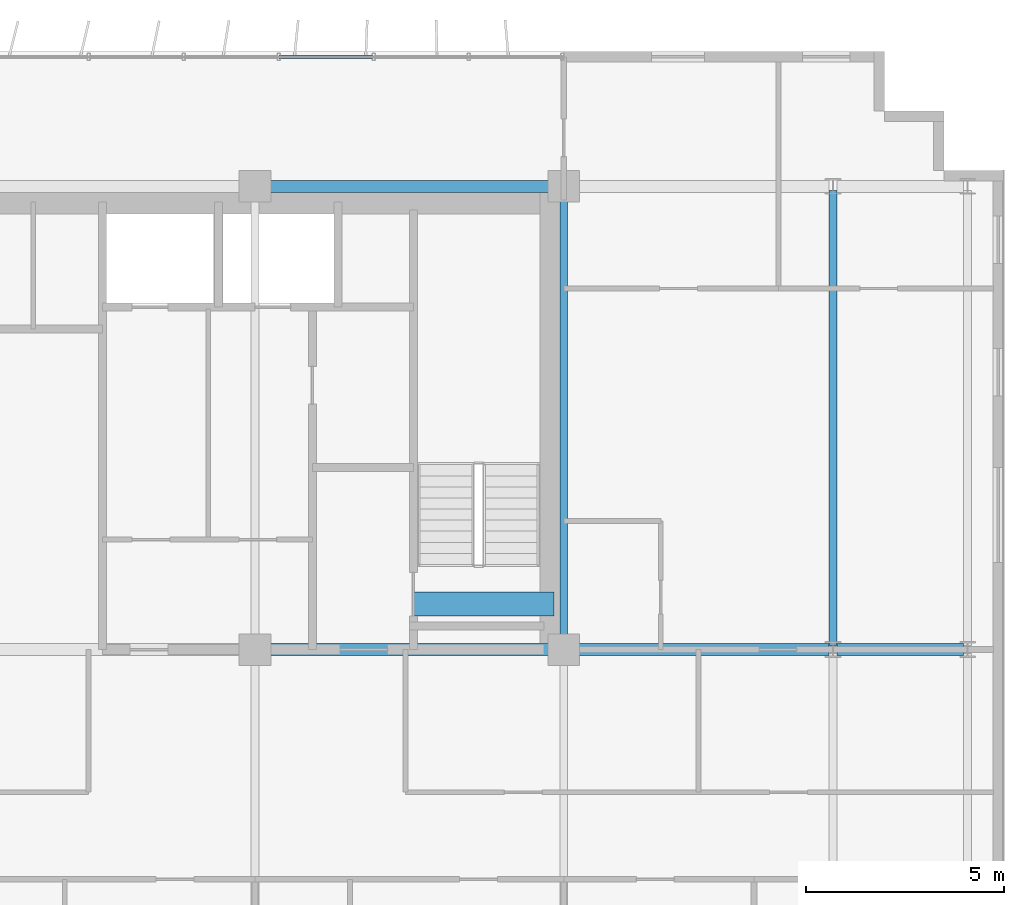
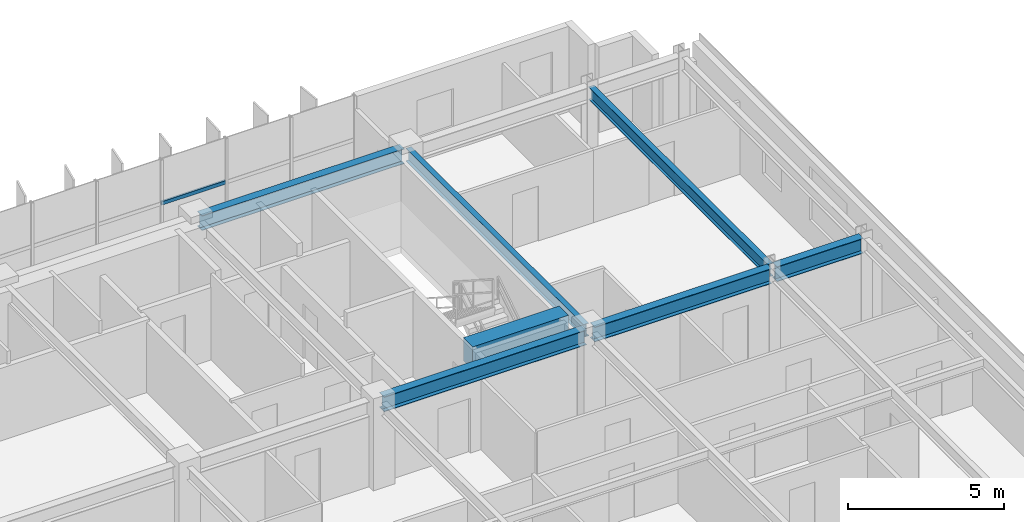
# One storey, part 10 of 22: 7 beams, 1 member, 1 element without a shape of its own.
"""IFC4 building model written with IfcOpenShell, lengths in metres."""

from ifc_helpers import new_model, si_unit, direction, frame, origin, origin_2d, place, context, subcontext, project, spatial, rectangle, hollow_rectangle, i_section, extrude, source, transform, mapped, material, material_profile, profile_set, type_object, element, aggregate, save


model = new_model("IFC4")

# Units and contexts
model_context = context("Model", 3, precision=1e-05, world=origin(), true_north=direction((0.0, 1.0)))
body_context = subcontext(model_context, "Body", "Model", "MODEL_VIEW")
ifc_project = project(units=[si_unit("LENGTHUNIT", "METRE"), si_unit("AREAUNIT", "SQUARE_METRE"), si_unit("VOLUMEUNIT", "CUBIC_METRE"), si_unit("PLANEANGLEUNIT", "RADIAN"), si_unit("MASSUNIT", "GRAM", prefix="KILO")], contexts=[model_context])

# Site, building, storey
site_placement = place(None, origin())
site = spatial("IfcSite", under=ifc_project, at=site_placement, CompositionType="ELEMENT")
building_placement = place(site_placement, origin())
building = spatial("IfcBuilding", under=site, at=building_placement, Name="Trelvane Seafront Commons", CompositionType="ELEMENT")
storey_placement = place(building_placement, frame((0.0, 0.0, 85.300048828125)))
storey = spatial("IfcBuildingStorey", under=building, at=storey_placement, Name="L21", CompositionType="ELEMENT", Elevation=85.300048828125)

# Beams
ifc_material_1 = material(Name="Concrete C60/75", Category="concrete")
ifc_material_profile_1 = material_profile(ifc_material_1, rectangle(XDim=0.60009765625, YDim=0.89990234375, at=origin_2d()), Name="RC-600x900")
ifc_profile_set_1 = profile_set([ifc_material_profile_1], Name="Concrete C60/75")
beam_type_1 = type_object("IfcBeamType", Name="STR-LNT-RC600x900", PredefinedType="LINTEL", material=ifc_profile_set_1)
shared_shape_1 = source(origin(), body_context, "Body", "SweptSolid", [
    extrude(rectangle(XDim=0.60009765625, YDim=0.89990234375, at=origin_2d()), origin(), (0.0, 0.0, 1.0), 3.550048828125),
])
beam_1_placement = place(storey_placement, frame((55.0, 34.550048828125, 2.889892578125), z_axis=(1.0, 0.0, 0.0), x_axis=(0.0, 1.0, 0.0)))
element("IfcBeam", 1, at=beam_1_placement, inside=storey, type_object=beam_type_1, Name="L21 Core Coupling Lintel Beam CB-86", PredefinedType="LINTEL", context=body_context, shape_type="MappedRepresentation", body=[
    mapped(shared_shape_1, transform((0.0, 0.0, 0.0), x_axis=(1.0, 0.0, 0.0), y_axis=(0.0, 1.0, 0.0), z_axis=(0.0, 0.0, 1.0), scale=1.0)),
])
ifc_material_2 = material(Name="Steel SM355 (S355)", Category="steel")
ifc_material_profile_2 = material_profile(ifc_material_2, i_section(OverallWidth=0.300048828125, OverallDepth=0.587890625, WebThickness=0.011962890625, FlangeThickness=0.02001953125, at=origin_2d()), Name="H-588x300x12x20")
ifc_profile_set_2 = profile_set([ifc_material_profile_2], Name="Steel SM355 (S355)")
beam_type_2 = type_object("IfcBeamType", Name="STR-BM-H588", PredefinedType="BEAM", material=ifc_profile_set_2)
shared_shape_2 = source(origin(), body_context, "Body", "SweptSolid", [
    extrude(i_section(OverallWidth=0.300048828125, OverallDepth=0.587890625, WebThickness=0.011962890625, FlangeThickness=0.02001953125, at=origin_2d()), origin(), (0.0, 0.0, 1.0), 3.199951171875),
])
beam_2_placement = place(storey_placement, frame((65.699951171875, 33.39990234375, 3.0458984375), z_axis=(1.0, 0.0, 0.0), x_axis=(0.0, 1.0, 0.0)))
element("IfcBeam", 2, at=beam_2_placement, inside=storey, type_object=beam_type_2, Name="L21 Primary Girder G-27", PredefinedType="BEAM", context=body_context, shape_type="MappedRepresentation", body=[
    mapped(shared_shape_2, transform((0.0, 0.0, 0.0), x_axis=(1.0, 0.0, 0.0), y_axis=(0.0, 1.0, 0.0), z_axis=(0.0, 0.0, 1.0), scale=1.0)),
])
shared_shape_3 = source(origin(), body_context, "Body", "SweptSolid", [
    extrude(i_section(OverallWidth=0.300048828125, OverallDepth=0.587890625, WebThickness=0.011962890625, FlangeThickness=0.02001953125, at=origin_2d()), origin(), (0.0, 0.0, 1.0), 6.550048828125),
])
beam_3_placement = place(storey_placement, frame((58.949951171875, 33.39990234375, 3.0458984375), z_axis=(1.0, 0.0, 0.0), x_axis=(0.0, 1.0, 0.0)))
element("IfcBeam", 3, at=beam_3_placement, inside=storey, type_object=beam_type_2, Name="L21 Primary Girder G-26", PredefinedType="BEAM", context=body_context, shape_type="MappedRepresentation", body=[
    mapped(shared_shape_3, transform((0.0, 0.0, 0.0), x_axis=(1.0, 0.0, 0.0), y_axis=(0.0, 1.0, 0.0), z_axis=(0.0, 0.0, 1.0), scale=1.0)),
])
shared_shape_4 = source(origin(), body_context, "Body", "SweptSolid", [
    extrude(i_section(OverallWidth=0.300048828125, OverallDepth=0.587890625, WebThickness=0.011962890625, FlangeThickness=0.02001953125, at=origin_2d()), origin(), (0.0, 0.0, 1.0), 7.5),
])
for number, where, z_axis, x_axis, name in (
    (4, (51.14990234375, 33.39990234375, 3.0458984375), (1.0, 0.0, 0.0), (0.0, 1.0, 0.0), "L21 Primary Girder G-25"),
    (5, (51.14990234375, 45.10009765625, 3.0458984375), (1.0, 0.0, 0.0), (0.0, 1.0, 0.0), "L21 Primary Girder G-34"),
):
    element("IfcBeam", number, at=place(storey_placement, frame(where, z_axis=z_axis, x_axis=x_axis)), inside=storey, type_object=beam_type_2, Name=name, PredefinedType="BEAM", context=body_context, shape_type="MappedRepresentation", body=[
        mapped(shared_shape_4, transform((0.0, 0.0, 0.0), x_axis=(1.0, 0.0, 0.0), y_axis=(0.0, 1.0, 0.0), z_axis=(0.0, 0.0, 1.0), scale=1.0)),
    ])
ifc_material_profile_3 = material_profile(ifc_material_2, i_section(OverallWidth=0.199951171875, OverallDepth=0.5, WebThickness=0.010009765625, FlangeThickness=0.01611328125, at=origin_2d()), Name="H-500x200x10x16")
ifc_profile_set_3 = profile_set([ifc_material_profile_3], Name="Steel SM355 (S355)")
beam_type_3 = type_object("IfcBeamType", Name="STR-BM-H500", PredefinedType="BEAM", material=ifc_profile_set_3)
shared_shape_5 = source(origin(), body_context, "Body", "SweptSolid", [
    extrude(i_section(OverallWidth=0.199951171875, OverallDepth=0.5, WebThickness=0.010009765625, FlangeThickness=0.01611328125, at=origin_2d()), origin(), (0.0, 0.0, 1.0), 11.5),
])
beam_4_placement = place(storey_placement, frame((65.60009765625, 33.5, 3.08984375), z_axis=(0.0, 1.0, 0.0), x_axis=(-1.0, 0.0, 0.0)))
element("IfcBeam", 6, at=beam_4_placement, inside=storey, type_object=beam_type_3, Name="L21 Primary Girder G-63", PredefinedType="BEAM", context=body_context, shape_type="MappedRepresentation", body=[
    mapped(shared_shape_5, transform((0.0, 0.0, 0.0), x_axis=(1.0, 0.0, 0.0), y_axis=(0.0, 1.0, 0.0), z_axis=(0.0, 0.0, 1.0), scale=1.0)),
])
shared_shape_6 = source(origin(), body_context, "Body", "SweptSolid", [
    extrude(i_section(OverallWidth=0.199951171875, OverallDepth=0.5, WebThickness=0.010009765625, FlangeThickness=0.01611328125, at=origin_2d()), origin(), (0.0, 0.0, 1.0), 11.39990234375),
])
beam_5_placement = place(storey_placement, frame((58.800048828125, 33.550048828125, 3.08984375), z_axis=(0.0, 1.0, 0.0), x_axis=(-1.0, 0.0, 0.0)))
element("IfcBeam", 7, at=beam_5_placement, inside=storey, type_object=beam_type_3, Name="L21 Primary Girder G-60", PredefinedType="BEAM", context=body_context, shape_type="MappedRepresentation", body=[
    mapped(shared_shape_6, transform((0.0, 0.0, 0.0), x_axis=(1.0, 0.0, 0.0), y_axis=(0.0, 1.0, 0.0), z_axis=(0.0, 0.0, 1.0), scale=1.0)),
])

# Curtain wall, member
ifc_material_3 = material(Name="Anodised pale-silver aluminium", Category="aluminium")
curtain_wall_type = type_object("IfcCurtainWallType", Name="ARCH-CW4-SKYLOBBY", PredefinedType="NOTDEFINED", material=ifc_material_3)
curtain_wall_placement = place(storey_placement, origin())
curtain_wall = element("IfcCurtainWall", 8, at=curtain_wall_placement, inside=storey, type_object=curtain_wall_type, Name="CW-L21-0046", PredefinedType="NOTDEFINED")
ifc_material_profile_4 = material_profile(ifc_material_3, hollow_rectangle(XDim=0.074951171875, YDim=0.139892578125, WallThickness=0.00390625, at=origin_2d()), Name="TRAN-75x140x4")
ifc_profile_set_4 = profile_set([ifc_material_profile_4], Name="Anodised pale-silver aluminium")
member_type = type_object("IfcMemberType", Name="ARCH-CW-TRAN-140", PredefinedType="USERDEFINED", material=ifc_profile_set_4)
shared_shape_7 = source(origin(), body_context, "Body", "SweptSolid", [
    extrude(hollow_rectangle(XDim=0.074951171875, YDim=0.139892578125, WallThickness=0.00390625, at=origin_2d()), origin(), (0.0, 0.0, 1.0), 2.3759765625),
])
member_placement = place(storey_placement, frame((51.612060546875, 48.3701171875, 1.60302734375), z_axis=(1.0, 0.0, 0.0), x_axis=(0.0, 1.0, 0.0)))
member = element("IfcMember", 9, at=member_placement, type_object=member_type, Name="CW-L21-0046-T15", ObjectType="TRANSOM", PredefinedType="USERDEFINED", context=body_context, shape_type="MappedRepresentation", body=[
    mapped(shared_shape_7, transform((0.0, 0.0, 0.0), x_axis=(1.0, 0.0, 0.0), y_axis=(0.0, 1.0, 0.0), z_axis=(0.0, 0.0, 1.0), scale=1.0)),
])
aggregate(curtain_wall, [member])

save(model, "model.ifc")
